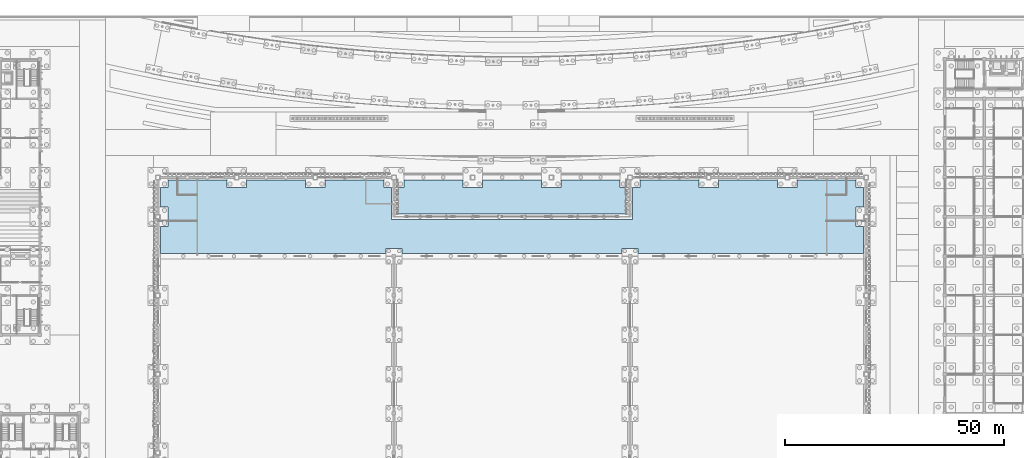
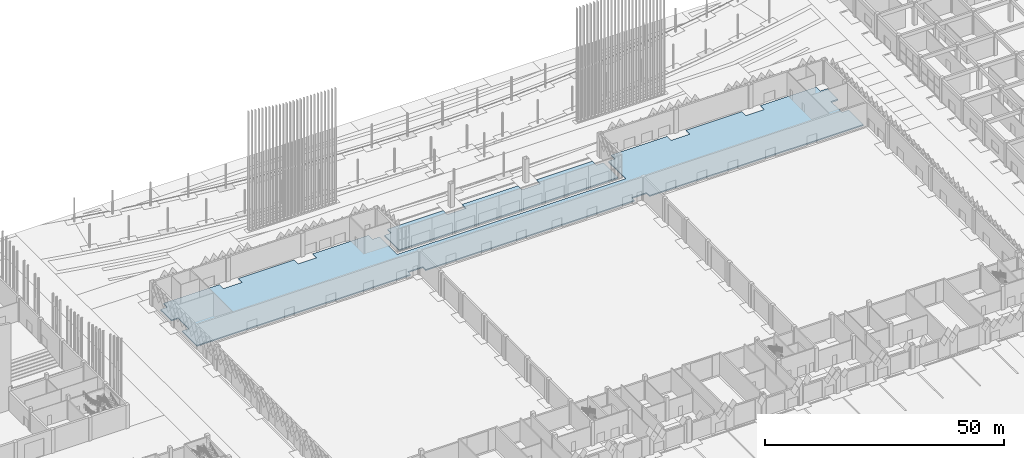
# One storey, part 72 of 198: 2 slabs.
"""IFC4 building model written with IfcOpenShell, lengths in metres."""

from ifc_helpers import new_model, si_unit, direction, frame, origin, place, context, subcontext, project, spatial, polyline, outline, extrude, material, layer, layer_set, type_object, element, save


model = new_model("IFC4")

# Units and contexts
model_context = context("Model", 3, precision=1e-05, world=origin(), true_north=direction((0.0, 1.0)))
body_context = subcontext(model_context, "Body", "Model", "MODEL_VIEW")
ifc_project = project(units=[si_unit("LENGTHUNIT", "METRE"), si_unit("AREAUNIT", "SQUARE_METRE"), si_unit("VOLUMEUNIT", "CUBIC_METRE"), si_unit("PLANEANGLEUNIT", "RADIAN"), si_unit("MASSUNIT", "GRAM", prefix="KILO")], contexts=[model_context])

# Site, building, storey
site_placement = place(None, origin())
site = spatial("IfcSite", under=ifc_project, at=site_placement, CompositionType="ELEMENT")
building_placement = place(site_placement, origin())
building = spatial("IfcBuilding", under=site, at=building_placement, Name="Opaline Strait Convention Centre", CompositionType="ELEMENT")
storey_placement = place(building_placement, origin())
storey = spatial("IfcBuildingStorey", under=building, at=storey_placement, Name="L00", CompositionType="ELEMENT", Elevation=0.0)

# Slabs
ifc_material = material(Name="Concrete C30", Category="concrete")
ifc_layer = layer(ifc_material, 0.300048828125)
ifc_layer_set = layer_set([ifc_layer], Name="Concrete C30")
slab_type = type_object("IfcSlabType", Name="Ground slab 300 C30", PredefinedType="BASESLAB", material=ifc_layer_set)
slab_1_placement = place(storey_placement, frame((0.0, 0.0, -0.300048828125)))
element("IfcSlab", 1, at=slab_1_placement, inside=storey, type_object=slab_type, Name="Ground slab pour N1", PredefinedType="BASESLAB", context=body_context, shape_type="SweptSolid", body=[
    extrude(outline(polyline([(99.60009765625, 135.60009765625), (99.60009765625, 141.75), (101.25, 141.75), (101.25, 146.25), (99.60009765625, 146.25), (99.60009765625, 150.75), (101.25, 150.75), (101.25, 152.39990234375), (114.75, 152.39990234375), (114.75, 150.75), (119.25, 150.75), (119.25, 152.39990234375), (132.75, 152.39990234375), (132.75, 150.75), (137.25, 150.75), (137.25, 152.39990234375), (150.75, 152.39990234375), (150.75, 150.75), (152.39990234375, 150.75), (152.39990234375, 144.60009765625), (152.39990234375, 143.39990234375), (207.60009765625, 143.39990234375), (207.60009765625, 144.60009765625), (207.60009765625, 150.75), (209.25, 150.75), (209.25, 152.39990234375), (222.75, 152.39990234375), (222.75, 150.75), (227.25, 150.75), (227.25, 152.39990234375), (240.75, 152.39990234375), (240.75, 150.75), (245.25, 150.75), (245.25, 152.39990234375), (258.75, 152.39990234375), (258.75, 150.75), (260.39990234375, 150.75), (260.39990234375, 146.25), (258.75, 146.25), (258.75, 141.75), (260.39990234375, 141.75), (260.39990234375, 135.60009765625), (208.800048828125, 135.60009765625), (208.800048828125, 136.800048828125), (205.199951171875, 136.800048828125), (205.199951171875, 135.60009765625), (154.800048828125, 135.60009765625), (154.800048828125, 136.800048828125), (151.199951171875, 136.800048828125), (151.199951171875, 135.60009765625), (99.60009765625, 135.60009765625)])), origin(), (0.0, 0.0, 1.0), 0.300048828125),
])
slab_2_placement = place(storey_placement, frame((0.0, 0.0, -0.300048828125)))
element("IfcSlab", 2, at=slab_2_placement, inside=storey, type_object=slab_type, Name="Ground slab pour N2", PredefinedType="BASESLAB", context=body_context, shape_type="SweptSolid", body=[
    extrude(outline(polyline([(153.60009765625, 144.60009765625), (153.60009765625, 150.75), (155.25, 150.75), (155.25, 152.39990234375), (168.75, 152.39990234375), (168.75, 150.75), (173.25, 150.75), (173.25, 152.39990234375), (186.75, 152.39990234375), (186.75, 150.75), (191.25, 150.75), (191.25, 152.39990234375), (204.75, 152.39990234375), (204.75, 150.75), (206.39990234375, 150.75), (206.39990234375, 144.60009765625), (153.60009765625, 144.60009765625)])), origin(), (0.0, 0.0, 1.0), 0.300048828125),
])

save(model, "model.ifc")
